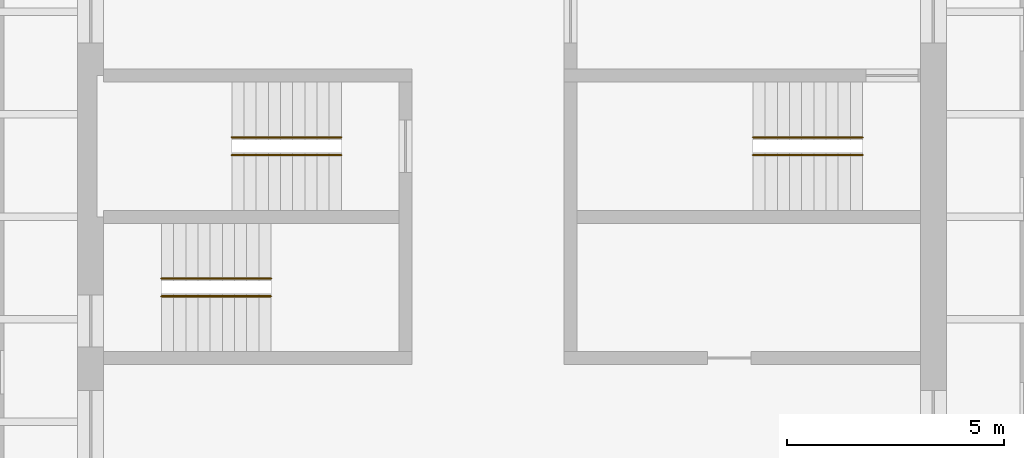
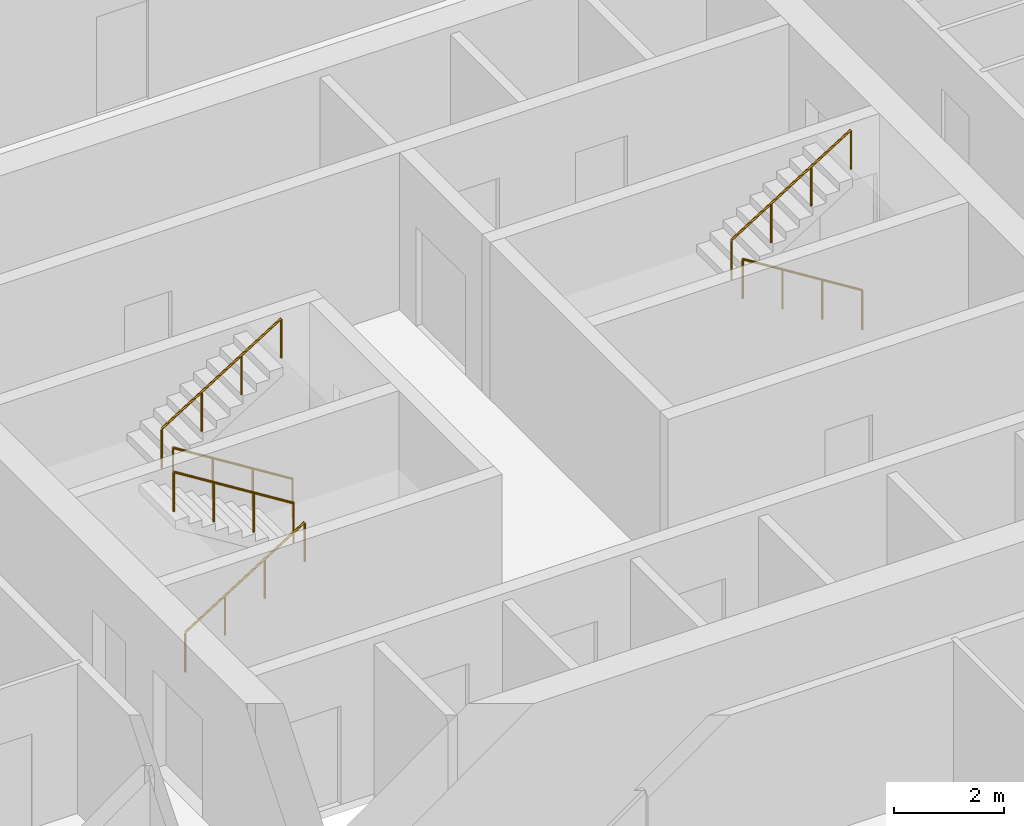
# One storey, part 9 of 9: 6 railings.
"""IFC4 building model written with IfcOpenShell, lengths in metres."""

from ifc_helpers import new_model, si_unit, direction, frame, origin, origin_2d, place, context, subcontext, project, spatial, circle, extrude, material, type_object, element, save


model = new_model("IFC4")

# Units and contexts
model_context = context("Model", 3, precision=1e-05, world=origin(), true_north=direction((0.0, 1.0)))
body_context = subcontext(model_context, "Body", "Model", "MODEL_VIEW")
ifc_project = project(units=[si_unit("LENGTHUNIT", "METRE"), si_unit("AREAUNIT", "SQUARE_METRE"), si_unit("VOLUMEUNIT", "CUBIC_METRE"), si_unit("PLANEANGLEUNIT", "RADIAN"), si_unit("MASSUNIT", "GRAM", prefix="KILO")], contexts=[model_context])

# Site, building, storey
site_placement = place(None, origin())
site = spatial("IfcSite", under=ifc_project, at=site_placement, CompositionType="ELEMENT")
building_placement = place(site_placement, origin())
building = spatial("IfcBuilding", under=site, at=building_placement, Name="Turquesa Mirador Hotel Tower", CompositionType="ELEMENT")
storey_placement = place(building_placement, frame((0.0, 0.0, 203.800048828125)))
storey = spatial("IfcBuildingStorey", under=building, at=storey_placement, Name="L55", CompositionType="ELEMENT", Elevation=203.800048828125)

# Railings
ifc_material = material(Name="Painted steel handrail", Category="steel")
railing_type = type_object("IfcRailingType", Name="HANDRAIL 900 STEEL", PredefinedType="HANDRAIL", material=ifc_material)
railing_1_placement = place(storey_placement, frame((51.070068359375, 46.419921875, 0.175048828125)))
element("IfcRailing", 1, at=railing_1_placement, inside=storey, type_object=railing_type, Name="Handrail ST1", PredefinedType="HANDRAIL", context=body_context, shape_type="SweptSolid", body=[
    extrude(circle(Radius=0.02392578125, at=origin_2d()), frame((0.0, 0.0, 0.8759765625), z_axis=(-0.848007534815, 0.0, 0.529984170421), x_axis=(0.0, -1.0, 0.0)), (0.0, 0.0, 1.0), 2.9716796875),
    extrude(circle(Radius=0.02099609375, at=origin_2d()), origin(), (0.0, 0.0, 1.0), 0.851806640625),
    extrude(circle(Radius=0.02099609375, at=origin_2d()), frame((-0.840087890625, 0.0, 0.52490234375)), (0.0, 0.0, 1.0), 0.851806640625),
    extrude(circle(Radius=0.02099609375, at=origin_2d()), frame((-1.679931640625, 0.0, 1.050048828125)), (0.0, 0.0, 1.0), 0.851806640625),
    extrude(circle(Radius=0.02099609375, at=origin_2d()), frame((-2.52001953125, 0.0, 1.574951171875)), (0.0, 0.0, 1.0), 0.851806640625),
])
for number, where, name in (
    (2, (48.550048828125, 46.830078125, 1.925048828125), "Handrail ST1"),
    (3, (46.929931640625, 43.169921875, 0.175048828125), "Handrail ST2"),
):
    element("IfcRailing", number, at=place(storey_placement, frame(where)), inside=storey, type_object=railing_type, Name=name, PredefinedType="HANDRAIL", context=body_context, shape_type="SweptSolid", body=[
        extrude(circle(Radius=0.02392578125, at=origin_2d()), frame((0.0, 0.0, 0.8759765625), z_axis=(0.848007534815, 0.0, 0.529984170421), x_axis=(0.0, 1.0, 0.0)), (0.0, 0.0, 1.0), 2.9716796875),
        extrude(circle(Radius=0.02099609375, at=origin_2d()), origin(), (0.0, 0.0, 1.0), 0.851806640625),
        extrude(circle(Radius=0.02099609375, at=origin_2d()), frame((0.840087890625, 0.0, 0.52490234375)), (0.0, 0.0, 1.0), 0.851806640625),
        extrude(circle(Radius=0.02099609375, at=origin_2d()), frame((1.679931640625, 0.0, 1.050048828125)), (0.0, 0.0, 1.0), 0.851806640625),
        extrude(circle(Radius=0.02099609375, at=origin_2d()), frame((2.52001953125, 0.0, 1.574951171875)), (0.0, 0.0, 1.0), 0.851806640625),
    ])
for number, where, name in (
    (4, (49.449951171875, 43.580078125, 1.925048828125), "Handrail ST2"),
    (5, (63.070068359375, 46.419921875, 0.175048828125), "Handrail ST3"),
):
    element("IfcRailing", number, at=place(storey_placement, frame(where)), inside=storey, type_object=railing_type, Name=name, PredefinedType="HANDRAIL", context=body_context, shape_type="SweptSolid", body=[
        extrude(circle(Radius=0.02392578125, at=origin_2d()), frame((0.0, 0.0, 0.8759765625), z_axis=(-0.848007534815, 0.0, 0.529984170421), x_axis=(0.0, -1.0, 0.0)), (0.0, 0.0, 1.0), 2.9716796875),
        extrude(circle(Radius=0.02099609375, at=origin_2d()), origin(), (0.0, 0.0, 1.0), 0.851806640625),
        extrude(circle(Radius=0.02099609375, at=origin_2d()), frame((-0.840087890625, 0.0, 0.52490234375)), (0.0, 0.0, 1.0), 0.851806640625),
        extrude(circle(Radius=0.02099609375, at=origin_2d()), frame((-1.679931640625, 0.0, 1.050048828125)), (0.0, 0.0, 1.0), 0.851806640625),
        extrude(circle(Radius=0.02099609375, at=origin_2d()), frame((-2.52001953125, 0.0, 1.574951171875)), (0.0, 0.0, 1.0), 0.851806640625),
    ])
railing_2_placement = place(storey_placement, frame((60.550048828125, 46.830078125, 1.925048828125)))
element("IfcRailing", 6, at=railing_2_placement, inside=storey, type_object=railing_type, Name="Handrail ST3", PredefinedType="HANDRAIL", context=body_context, shape_type="SweptSolid", body=[
    extrude(circle(Radius=0.02392578125, at=origin_2d()), frame((0.0, 0.0, 0.8759765625), z_axis=(0.848007534815, 0.0, 0.529984170421), x_axis=(0.0, 1.0, 0.0)), (0.0, 0.0, 1.0), 2.9716796875),
    extrude(circle(Radius=0.02099609375, at=origin_2d()), origin(), (0.0, 0.0, 1.0), 0.851806640625),
    extrude(circle(Radius=0.02099609375, at=origin_2d()), frame((0.840087890625, 0.0, 0.52490234375)), (0.0, 0.0, 1.0), 0.851806640625),
    extrude(circle(Radius=0.02099609375, at=origin_2d()), frame((1.679931640625, 0.0, 1.050048828125)), (0.0, 0.0, 1.0), 0.851806640625),
    extrude(circle(Radius=0.02099609375, at=origin_2d()), frame((2.52001953125, 0.0, 1.574951171875)), (0.0, 0.0, 1.0), 0.851806640625),
])

save(model, "model.ifc")
